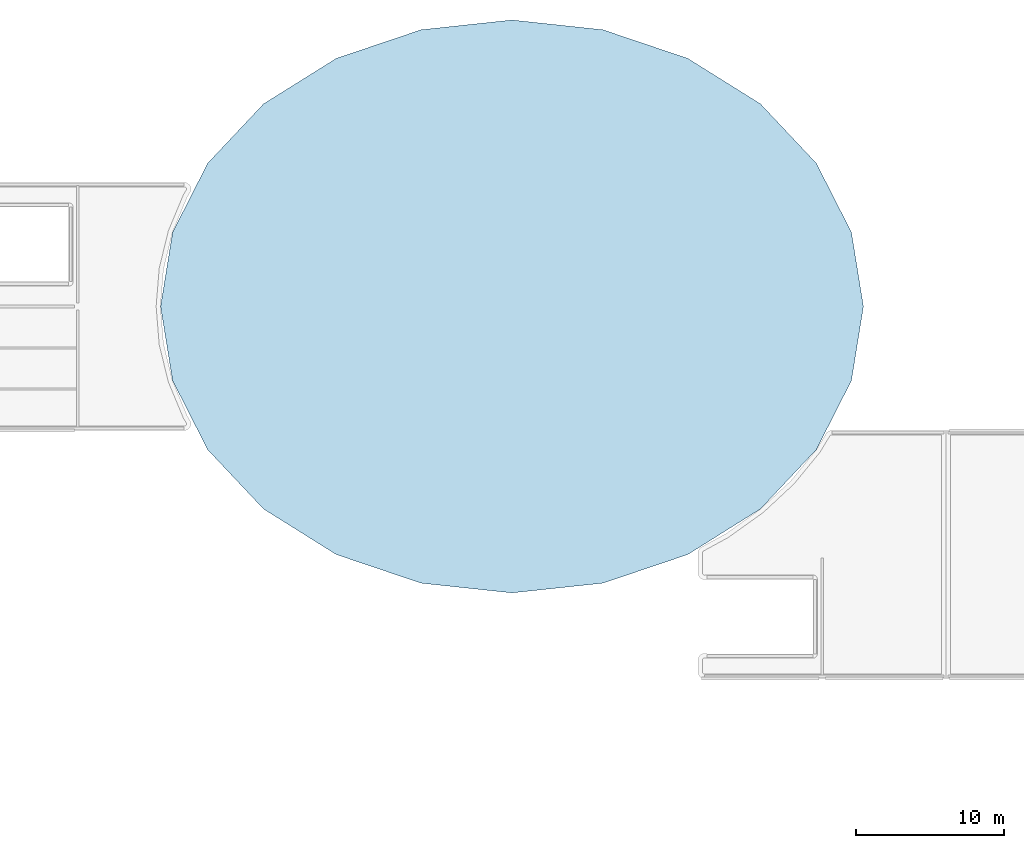
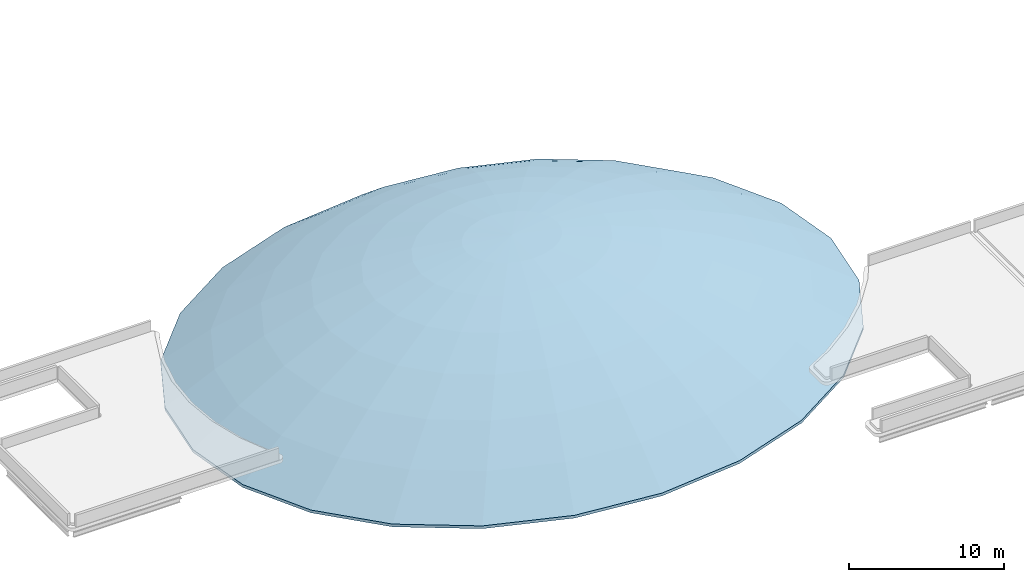
# One storey, part 4 of 5: 1 roof.
"""IFC4 building model written with IfcOpenShell, lengths in metres."""

from ifc_helpers import new_model, si_unit, derived_unit, direction, frame, origin, place, context, subcontext, project, spatial, polygons, material, layer, layer_set, type_object, element, save


model = new_model("IFC4")

# Units and contexts
model_context = context("Model", 3, precision=1e-05, world=origin(), true_north=direction((0.0, 1.0)))
body_context = subcontext(model_context, "Body", "Model", "MODEL_VIEW")
ifc_project = project(units=[si_unit("LENGTHUNIT", "METRE"), si_unit("AREAUNIT", "SQUARE_METRE"), si_unit("VOLUMEUNIT", "CUBIC_METRE"), si_unit("PLANEANGLEUNIT", "RADIAN"), si_unit("MASSUNIT", "GRAM", prefix="KILO"), derived_unit("THERMALTRANSMITTANCEUNIT", [(si_unit("POWERUNIT", "WATT"), 1), (si_unit("LENGTHUNIT", "METRE"), -2), (si_unit("THERMODYNAMICTEMPERATUREUNIT", "KELVIN"), -1)])], contexts=[model_context])

# Site, building, storey
site_placement = place(None, origin())
site = spatial("IfcSite", under=ifc_project, at=site_placement, CompositionType="ELEMENT")
building_placement = place(site_placement, origin())
building = spatial("IfcBuilding", under=site, at=building_placement, Name="Elbkamm Science Centre", CompositionType="ELEMENT")
storey_placement = place(building_placement, frame((0.0, 0.0, 25.5)))
storey = spatial("IfcBuildingStorey", under=building, at=storey_placement, Name="RF", CompositionType="ELEMENT", Elevation=25.5)

# Roof
ifc_material = material(Name="Reinforced concrete C45/55", Category="concrete")
ifc_layer = layer(ifc_material, 0.219970703125)
ifc_layer_set = layer_set([ifc_layer], Name="Reinforced concrete C45/55")
roof_type = type_object("IfcRoofType", Name="ROOF-SHELL-220", PredefinedType="FREEFORM", material=ifc_layer_set)
roof_placement = place(storey_placement, origin())
element("IfcRoof", 1, at=roof_placement, inside=storey, type_object=roof_type, Name="Main Exhibition Hall Thin Concrete Shell Roof", PredefinedType="FREEFORM", context=body_context, shape_type="Tessellation", body=[
    polygons([(63.0, 67.199951171875, 4.919921875), (63.0, 67.199951171875, 4.699951171875), (66.39990234375, 67.199951171875, 4.744384765625), (66.39990234375, 67.199951171875, 4.5244140625), (66.2841796875, 67.917236328125, 4.744384765625), (66.2841796875, 67.917236328125, 4.5244140625), (65.944580078125, 68.585693359375, 4.744384765625), (65.944580078125, 68.585693359375, 4.5244140625), (65.404296875, 69.15966796875, 4.744384765625), (65.404296875, 69.15966796875, 4.5244140625), (64.699951171875, 69.60009765625, 4.744384765625), (64.699951171875, 69.60009765625, 4.5244140625), (63.8798828125, 69.876953125, 4.744384765625), (63.8798828125, 69.876953125, 4.5244140625), (63.0, 69.971435546875, 4.744384765625), (63.0, 69.971435546875, 4.5244140625), (62.1201171875, 69.876953125, 4.744384765625), (62.1201171875, 69.876953125, 4.5244140625), (61.300048828125, 69.60009765625, 4.744384765625), (61.300048828125, 69.60009765625, 4.5244140625), (60.595703125, 69.15966796875, 4.744384765625), (60.595703125, 69.15966796875, 4.5244140625), (60.055419921875, 68.585693359375, 4.744384765625), (60.055419921875, 68.585693359375, 4.5244140625), (59.7158203125, 67.917236328125, 4.744384765625), (59.7158203125, 67.917236328125, 4.5244140625), (59.60009765625, 67.199951171875, 4.744384765625), (59.60009765625, 67.199951171875, 4.5244140625), (59.7158203125, 66.482666015625, 4.744384765625), (59.7158203125, 66.482666015625, 4.5244140625), (60.055419921875, 65.814208984375, 4.744384765625), (60.055419921875, 65.814208984375, 4.5244140625), (60.595703125, 65.240234375, 4.744384765625), (60.595703125, 65.240234375, 4.5244140625), (61.300048828125, 64.7998046875, 4.744384765625), (61.300048828125, 64.7998046875, 4.5244140625), (62.1201171875, 64.52294921875, 4.744384765625), (62.1201171875, 64.52294921875, 4.5244140625), (63.0, 64.4287109375, 4.744384765625), (63.0, 64.4287109375, 4.5244140625), (63.8798828125, 64.52294921875, 4.744384765625), (63.8798828125, 64.52294921875, 4.5244140625), (64.699951171875, 64.7998046875, 4.744384765625), (64.699951171875, 64.7998046875, 4.5244140625), (65.404296875, 65.240234375, 4.744384765625), (65.404296875, 65.240234375, 4.5244140625), (65.944580078125, 65.814208984375, 4.744384765625), (65.944580078125, 65.814208984375, 4.5244140625), (66.2841796875, 66.482666015625, 4.744384765625), (66.2841796875, 66.482666015625, 4.5244140625), (69.800048828125, 67.199951171875, 4.218017578125), (69.800048828125, 67.199951171875, 3.998046875), (69.568359375, 68.634521484375, 4.218017578125), (69.568359375, 68.634521484375, 3.998046875), (68.888916015625, 69.971435546875, 4.218017578125), (68.888916015625, 69.971435546875, 3.998046875), (67.808349609375, 71.119384765625, 4.218017578125), (67.808349609375, 71.119384765625, 3.998046875), (66.39990234375, 72.000244140625, 4.218017578125), (66.39990234375, 72.000244140625, 3.998046875), (64.760009765625, 72.553955078125, 4.218017578125), (64.760009765625, 72.553955078125, 3.998046875), (63.0, 72.742919921875, 4.218017578125), (63.0, 72.742919921875, 3.998046875), (61.239990234375, 72.553955078125, 4.218017578125), (61.239990234375, 72.553955078125, 3.998046875), (59.60009765625, 72.000244140625, 4.218017578125), (59.60009765625, 72.000244140625, 3.998046875), (58.191650390625, 71.119384765625, 4.218017578125), (58.191650390625, 71.119384765625, 3.998046875), (57.111083984375, 69.971435546875, 4.218017578125), (57.111083984375, 69.971435546875, 3.998046875), (56.431640625, 68.634521484375, 4.218017578125), (56.431640625, 68.634521484375, 3.998046875), (56.199951171875, 67.199951171875, 4.218017578125), (56.199951171875, 67.199951171875, 3.998046875), (56.431640625, 65.765380859375, 4.218017578125), (56.431640625, 65.765380859375, 3.998046875), (57.111083984375, 64.4287109375, 4.218017578125), (57.111083984375, 64.4287109375, 3.998046875), (58.191650390625, 63.280517578125, 4.218017578125), (58.191650390625, 63.280517578125, 3.998046875), (59.60009765625, 62.399658203125, 4.218017578125), (59.60009765625, 62.399658203125, 3.998046875), (61.239990234375, 61.845947265625, 4.218017578125), (61.239990234375, 61.845947265625, 3.998046875), (63.0, 61.656982421875, 4.218017578125), (63.0, 61.656982421875, 3.998046875), (64.760009765625, 61.845947265625, 4.218017578125), (64.760009765625, 61.845947265625, 3.998046875), (66.39990234375, 62.399658203125, 4.218017578125), (66.39990234375, 62.399658203125, 3.998046875), (67.808349609375, 63.280517578125, 4.218017578125), (67.808349609375, 63.280517578125, 3.998046875), (68.888916015625, 64.4287109375, 4.218017578125), (68.888916015625, 64.4287109375, 3.998046875), (69.568359375, 65.765380859375, 4.218017578125), (69.568359375, 65.765380859375, 3.998046875), (73.199951171875, 67.199951171875, 3.34033203125), (73.199951171875, 67.199951171875, 3.120361328125), (72.852294921875, 69.351806640625, 3.34033203125), (72.852294921875, 69.351806640625, 3.120361328125), (71.83349609375, 71.357177734375, 3.34033203125), (71.83349609375, 71.357177734375, 3.120361328125), (70.21240234375, 73.0791015625, 3.34033203125), (70.21240234375, 73.0791015625, 3.120361328125), (68.10009765625, 74.400390625, 3.34033203125), (68.10009765625, 74.400390625, 3.120361328125), (65.639892578125, 75.23095703125, 3.34033203125), (65.639892578125, 75.23095703125, 3.120361328125), (63.0, 75.514404296875, 3.34033203125), (63.0, 75.514404296875, 3.120361328125), (60.360107421875, 75.23095703125, 3.34033203125), (60.360107421875, 75.23095703125, 3.120361328125), (57.89990234375, 74.400390625, 3.34033203125), (57.89990234375, 74.400390625, 3.120361328125), (55.78759765625, 73.0791015625, 3.34033203125), (55.78759765625, 73.0791015625, 3.120361328125), (54.16650390625, 71.357177734375, 3.34033203125), (54.16650390625, 71.357177734375, 3.120361328125), (53.147705078125, 69.351806640625, 3.34033203125), (53.147705078125, 69.351806640625, 3.120361328125), (52.800048828125, 67.199951171875, 3.34033203125), (52.800048828125, 67.199951171875, 3.120361328125), (53.147705078125, 65.048095703125, 3.34033203125), (53.147705078125, 65.048095703125, 3.120361328125), (54.16650390625, 63.04296875, 3.34033203125), (54.16650390625, 63.04296875, 3.120361328125), (55.78759765625, 61.32080078125, 3.34033203125), (55.78759765625, 61.32080078125, 3.120361328125), (57.89990234375, 59.99951171875, 3.34033203125), (57.89990234375, 59.99951171875, 3.120361328125), (60.360107421875, 59.1689453125, 3.34033203125), (60.360107421875, 59.1689453125, 3.120361328125), (63.0, 58.8857421875, 3.34033203125), (63.0, 58.8857421875, 3.120361328125), (65.639892578125, 59.1689453125, 3.34033203125), (65.639892578125, 59.1689453125, 3.120361328125), (68.10009765625, 59.99951171875, 3.34033203125), (68.10009765625, 59.99951171875, 3.120361328125), (70.21240234375, 61.32080078125, 3.34033203125), (70.21240234375, 61.32080078125, 3.120361328125), (71.83349609375, 63.04296875, 3.34033203125), (71.83349609375, 63.04296875, 3.120361328125), (72.852294921875, 65.048095703125, 3.34033203125), (72.852294921875, 65.048095703125, 3.120361328125), (76.60009765625, 67.199951171875, 2.11181640625), (76.60009765625, 67.199951171875, 1.891845703125), (76.13671875, 70.069091796875, 2.11181640625), (76.13671875, 70.069091796875, 1.891845703125), (74.77783203125, 72.742919921875, 2.11181640625), (74.77783203125, 72.742919921875, 1.891845703125), (72.61669921875, 75.038818359375, 2.11181640625), (72.61669921875, 75.038818359375, 1.891845703125), (69.800048828125, 76.800537109375, 2.11181640625), (69.800048828125, 76.800537109375, 1.891845703125), (66.52001953125, 77.907958984375, 2.11181640625), (66.52001953125, 77.907958984375, 1.891845703125), (63.0, 78.28564453125, 2.11181640625), (63.0, 78.28564453125, 1.891845703125), (59.47998046875, 77.907958984375, 2.11181640625), (59.47998046875, 77.907958984375, 1.891845703125), (56.199951171875, 76.800537109375, 2.11181640625), (56.199951171875, 76.800537109375, 1.891845703125), (53.38330078125, 75.038818359375, 2.11181640625), (53.38330078125, 75.038818359375, 1.891845703125), (51.22216796875, 72.742919921875, 2.11181640625), (51.22216796875, 72.742919921875, 1.891845703125), (49.86328125, 70.069091796875, 2.11181640625), (49.86328125, 70.069091796875, 1.891845703125), (49.39990234375, 67.199951171875, 2.11181640625), (49.39990234375, 67.199951171875, 1.891845703125), (49.86328125, 64.330810546875, 2.11181640625), (49.86328125, 64.330810546875, 1.891845703125), (51.22216796875, 61.656982421875, 2.11181640625), (51.22216796875, 61.656982421875, 1.891845703125), (53.38330078125, 59.361083984375, 2.11181640625), (53.38330078125, 59.361083984375, 1.891845703125), (56.199951171875, 57.599609375, 2.11181640625), (56.199951171875, 57.599609375, 1.891845703125), (59.47998046875, 56.491943359375, 2.11181640625), (59.47998046875, 56.491943359375, 1.891845703125), (63.0, 56.1142578125, 2.11181640625), (63.0, 56.1142578125, 1.891845703125), (66.52001953125, 56.491943359375, 2.11181640625), (66.52001953125, 56.491943359375, 1.891845703125), (69.800048828125, 57.599609375, 2.11181640625), (69.800048828125, 57.599609375, 1.891845703125), (72.61669921875, 59.361083984375, 2.11181640625), (72.61669921875, 59.361083984375, 1.891845703125), (74.77783203125, 61.656982421875, 2.11181640625), (74.77783203125, 61.656982421875, 1.891845703125), (76.13671875, 64.330810546875, 2.11181640625), (76.13671875, 64.330810546875, 1.891845703125), (80.0, 67.199951171875, 0.5322265625), (80.0, 67.199951171875, 0.312255859375), (79.420654296875, 70.78662109375, 0.5322265625), (79.420654296875, 70.78662109375, 0.312255859375), (77.722412109375, 74.128662109375, 0.5322265625), (77.722412109375, 74.128662109375, 0.312255859375), (75.020751953125, 76.99853515625, 0.5322265625), (75.020751953125, 76.99853515625, 0.312255859375), (71.5, 79.20068359375, 0.5322265625), (71.5, 79.20068359375, 0.312255859375), (67.39990234375, 80.5849609375, 0.5322265625), (67.39990234375, 80.5849609375, 0.312255859375), (63.0, 81.05712890625, 0.5322265625), (63.0, 81.05712890625, 0.312255859375), (58.60009765625, 80.5849609375, 0.5322265625), (58.60009765625, 80.5849609375, 0.312255859375), (54.5, 79.20068359375, 0.5322265625), (54.5, 79.20068359375, 0.312255859375), (50.979248046875, 76.99853515625, 0.5322265625), (50.979248046875, 76.99853515625, 0.312255859375), (48.277587890625, 74.128662109375, 0.5322265625), (48.277587890625, 74.128662109375, 0.312255859375), (46.579345703125, 70.78662109375, 0.5322265625), (46.579345703125, 70.78662109375, 0.312255859375), (46.0, 67.199951171875, 0.5322265625), (46.0, 67.199951171875, 0.312255859375), (46.579345703125, 63.613525390625, 0.5322265625), (46.579345703125, 63.613525390625, 0.312255859375), (48.277587890625, 60.271484375, 0.5322265625), (48.277587890625, 60.271484375, 0.312255859375), (50.979248046875, 57.401611328125, 0.5322265625), (50.979248046875, 57.401611328125, 0.312255859375), (54.5, 55.199462890625, 0.5322265625), (54.5, 55.199462890625, 0.312255859375), (58.60009765625, 53.81494140625, 0.5322265625), (58.60009765625, 53.81494140625, 0.312255859375), (63.0, 53.343017578125, 0.5322265625), (63.0, 53.343017578125, 0.312255859375), (67.39990234375, 53.81494140625, 0.5322265625), (67.39990234375, 53.81494140625, 0.312255859375), (71.5, 55.199462890625, 0.5322265625), (71.5, 55.199462890625, 0.312255859375), (75.020751953125, 57.401611328125, 0.5322265625), (75.020751953125, 57.401611328125, 0.312255859375), (77.722412109375, 60.271484375, 0.5322265625), (77.722412109375, 60.271484375, 0.312255859375), (79.420654296875, 63.613525390625, 0.5322265625), (79.420654296875, 63.613525390625, 0.312255859375), (83.39990234375, 67.199951171875, -1.3984375), (83.39990234375, 67.199951171875, -1.618408203125), (82.704833984375, 71.50390625, -1.3984375), (82.704833984375, 71.50390625, -1.618408203125), (80.6669921875, 75.514404296875, -1.3984375), (80.6669921875, 75.514404296875, -1.618408203125), (77.425048828125, 78.958251953125, -1.3984375), (77.425048828125, 78.958251953125, -1.618408203125), (73.199951171875, 81.600830078125, -1.3984375), (73.199951171875, 81.600830078125, -1.618408203125), (68.27978515625, 83.261962890625, -1.3984375), (68.27978515625, 83.261962890625, -1.618408203125), (63.0, 83.82861328125, -1.3984375), (63.0, 83.82861328125, -1.618408203125), (57.72021484375, 83.261962890625, -1.3984375), (57.72021484375, 83.261962890625, -1.618408203125), (52.800048828125, 81.600830078125, -1.3984375), (52.800048828125, 81.600830078125, -1.618408203125), (48.574951171875, 78.958251953125, -1.3984375), (48.574951171875, 78.958251953125, -1.618408203125), (45.3330078125, 75.514404296875, -1.3984375), (45.3330078125, 75.514404296875, -1.618408203125), (43.295166015625, 71.50390625, -1.3984375), (43.295166015625, 71.50390625, -1.618408203125), (42.60009765625, 67.199951171875, -1.3984375), (42.60009765625, 67.199951171875, -1.618408203125), (43.295166015625, 62.896240234375, -1.3984375), (43.295166015625, 62.896240234375, -1.618408203125), (45.3330078125, 58.8857421875, -1.3984375), (45.3330078125, 58.8857421875, -1.618408203125), (48.574951171875, 55.44189453125, -1.3984375), (48.574951171875, 55.44189453125, -1.618408203125), (52.800048828125, 52.79931640625, -1.3984375), (52.800048828125, 52.79931640625, -1.618408203125), (57.72021484375, 51.137939453125, -1.3984375), (57.72021484375, 51.137939453125, -1.618408203125), (63.0, 50.5712890625, -1.3984375), (63.0, 50.5712890625, -1.618408203125), (68.27978515625, 51.137939453125, -1.3984375), (68.27978515625, 51.137939453125, -1.618408203125), (73.199951171875, 52.79931640625, -1.3984375), (73.199951171875, 52.79931640625, -1.618408203125), (77.425048828125, 55.44189453125, -1.3984375), (77.425048828125, 55.44189453125, -1.618408203125), (80.6669921875, 58.8857421875, -1.3984375), (80.6669921875, 58.8857421875, -1.618408203125), (82.704833984375, 62.896240234375, -1.3984375), (82.704833984375, 62.896240234375, -1.618408203125), (86.800048828125, 67.199951171875, -3.679931640625), (86.800048828125, 67.199951171875, -3.89990234375), (85.989013671875, 72.22119140625, -3.679931640625), (85.989013671875, 72.22119140625, -3.89990234375), (83.611328125, 76.89990234375, -3.679931640625), (83.611328125, 76.89990234375, -3.89990234375), (79.8291015625, 80.91796875, -3.679931640625), (79.8291015625, 80.91796875, -3.89990234375), (74.89990234375, 84.0009765625, -3.679931640625), (74.89990234375, 84.0009765625, -3.89990234375), (69.159912109375, 85.93896484375, -3.679931640625), (69.159912109375, 85.93896484375, -3.89990234375), (63.0, 86.60009765625, -3.679931640625), (63.0, 86.60009765625, -3.89990234375), (56.840087890625, 85.93896484375, -3.679931640625), (56.840087890625, 85.93896484375, -3.89990234375), (51.10009765625, 84.0009765625, -3.679931640625), (51.10009765625, 84.0009765625, -3.89990234375), (46.1708984375, 80.91796875, -3.679931640625), (46.1708984375, 80.91796875, -3.89990234375), (42.388671875, 76.89990234375, -3.679931640625), (42.388671875, 76.89990234375, -3.89990234375), (40.010986328125, 72.22119140625, -3.679931640625), (40.010986328125, 72.22119140625, -3.89990234375), (39.199951171875, 67.199951171875, -3.679931640625), (39.199951171875, 67.199951171875, -3.89990234375), (40.010986328125, 62.178955078125, -3.679931640625), (40.010986328125, 62.178955078125, -3.89990234375), (42.388671875, 57.5, -3.679931640625), (42.388671875, 57.5, -3.89990234375), (46.1708984375, 53.482177734375, -3.679931640625), (46.1708984375, 53.482177734375, -3.89990234375), (51.10009765625, 50.399169921875, -3.679931640625), (51.10009765625, 50.399169921875, -3.89990234375), (56.840087890625, 48.4609375, -3.679931640625), (56.840087890625, 48.4609375, -3.89990234375), (63.0, 47.800048828125, -3.679931640625), (63.0, 47.800048828125, -3.89990234375), (69.159912109375, 48.4609375, -3.679931640625), (69.159912109375, 48.4609375, -3.89990234375), (74.89990234375, 50.399169921875, -3.679931640625), (74.89990234375, 50.399169921875, -3.89990234375), (79.8291015625, 53.482177734375, -3.679931640625), (79.8291015625, 53.482177734375, -3.89990234375), (83.611328125, 57.5, -3.679931640625), (83.611328125, 57.5, -3.89990234375), (85.989013671875, 62.178955078125, -3.679931640625), (85.989013671875, 62.178955078125, -3.89990234375)], [[[1, 3, 5]], [[2, 6, 4]], [[1, 5, 7]], [[2, 8, 6]], [[1, 7, 9]], [[2, 10, 8]], [[1, 9, 11]], [[2, 12, 10]], [[1, 11, 13]], [[2, 14, 12]], [[1, 13, 15]], [[2, 16, 14]], [[1, 15, 17]], [[2, 18, 16]], [[1, 17, 19]], [[2, 20, 18]], [[1, 19, 21]], [[2, 22, 20]], [[1, 21, 23]], [[2, 24, 22]], [[1, 23, 25]], [[2, 26, 24]], [[1, 25, 27]], [[2, 28, 26]], [[1, 27, 29]], [[2, 30, 28]], [[1, 29, 31]], [[2, 32, 30]], [[1, 31, 33]], [[2, 34, 32]], [[1, 33, 35]], [[2, 36, 34]], [[1, 35, 37]], [[2, 38, 36]], [[1, 37, 39]], [[2, 40, 38]], [[1, 39, 41]], [[2, 42, 40]], [[1, 41, 43]], [[2, 44, 42]], [[1, 43, 45]], [[2, 46, 44]], [[1, 45, 47]], [[2, 48, 46]], [[1, 47, 49]], [[2, 50, 48]], [[1, 49, 3]], [[2, 4, 50]], [[3, 51, 53]], [[3, 53, 5]], [[4, 54, 52]], [[4, 6, 54]], [[5, 53, 55]], [[5, 55, 7]], [[6, 56, 54]], [[6, 8, 56]], [[7, 55, 57]], [[7, 57, 9]], [[8, 58, 56]], [[8, 10, 58]], [[9, 57, 59]], [[9, 59, 11]], [[10, 60, 58]], [[10, 12, 60]], [[11, 59, 61]], [[11, 61, 13]], [[12, 62, 60]], [[12, 14, 62]], [[13, 61, 63]], [[13, 63, 15]], [[14, 64, 62]], [[14, 16, 64]], [[15, 63, 65]], [[15, 65, 17]], [[16, 66, 64]], [[16, 18, 66]], [[17, 65, 67]], [[17, 67, 19]], [[18, 68, 66]], [[18, 20, 68]], [[19, 67, 69]], [[19, 69, 21]], [[20, 70, 68]], [[20, 22, 70]], [[21, 69, 71]], [[21, 71, 23]], [[22, 72, 70]], [[22, 24, 72]], [[23, 71, 73]], [[23, 73, 25]], [[24, 74, 72]], [[24, 26, 74]], [[25, 73, 75]], [[25, 75, 27]], [[26, 76, 74]], [[26, 28, 76]], [[27, 75, 77]], [[27, 77, 29]], [[28, 78, 76]], [[28, 30, 78]], [[29, 77, 79]], [[29, 79, 31]], [[30, 80, 78]], [[30, 32, 80]], [[31, 79, 81]], [[31, 81, 33]], [[32, 82, 80]], [[32, 34, 82]], [[33, 81, 83]], [[33, 83, 35]], [[34, 84, 82]], [[34, 36, 84]], [[35, 83, 85]], [[35, 85, 37]], [[36, 86, 84]], [[36, 38, 86]], [[37, 85, 87]], [[37, 87, 39]], [[38, 88, 86]], [[38, 40, 88]], [[39, 87, 89]], [[39, 89, 41]], [[40, 90, 88]], [[40, 42, 90]], [[41, 89, 91]], [[41, 91, 43]], [[42, 92, 90]], [[42, 44, 92]], [[43, 91, 93]], [[43, 93, 45]], [[44, 94, 92]], [[44, 46, 94]], [[45, 93, 95]], [[45, 95, 47]], [[46, 96, 94]], [[46, 48, 96]], [[47, 95, 97]], [[47, 97, 49]], [[48, 98, 96]], [[48, 50, 98]], [[49, 97, 51]], [[49, 51, 3]], [[50, 52, 98]], [[50, 4, 52]], [[51, 99, 101]], [[51, 101, 53]], [[52, 102, 100]], [[52, 54, 102]], [[53, 101, 103]], [[53, 103, 55]], [[54, 104, 102]], [[54, 56, 104]], [[55, 103, 105]], [[55, 105, 57]], [[56, 106, 104]], [[56, 58, 106]], [[57, 105, 107]], [[57, 107, 59]], [[58, 108, 106]], [[58, 60, 108]], [[59, 107, 109]], [[59, 109, 61]], [[60, 110, 108]], [[60, 62, 110]], [[61, 109, 111]], [[61, 111, 63]], [[62, 112, 110]], [[62, 64, 112]], [[63, 111, 113]], [[63, 113, 65]], [[64, 114, 112]], [[64, 66, 114]], [[65, 113, 115]], [[65, 115, 67]], [[66, 116, 114]], [[66, 68, 116]], [[67, 115, 117]], [[67, 117, 69]], [[68, 118, 116]], [[68, 70, 118]], [[69, 117, 119]], [[69, 119, 71]], [[70, 120, 118]], [[70, 72, 120]], [[71, 119, 121]], [[71, 121, 73]], [[72, 122, 120]], [[72, 74, 122]], [[73, 121, 123]], [[73, 123, 75]], [[74, 124, 122]], [[74, 76, 124]], [[75, 123, 125]], [[75, 125, 77]], [[76, 126, 124]], [[76, 78, 126]], [[77, 125, 127]], [[77, 127, 79]], [[78, 128, 126]], [[78, 80, 128]], [[79, 127, 129]], [[79, 129, 81]], [[80, 130, 128]], [[80, 82, 130]], [[81, 129, 131]], [[81, 131, 83]], [[82, 132, 130]], [[82, 84, 132]], [[83, 131, 133]], [[83, 133, 85]], [[84, 134, 132]], [[84, 86, 134]], [[85, 133, 135]], [[85, 135, 87]], [[86, 136, 134]], [[86, 88, 136]], [[87, 135, 137]], [[87, 137, 89]], [[88, 138, 136]], [[88, 90, 138]], [[89, 137, 139]], [[89, 139, 91]], [[90, 140, 138]], [[90, 92, 140]], [[91, 139, 141]], [[91, 141, 93]], [[92, 142, 140]], [[92, 94, 142]], [[93, 141, 143]], [[93, 143, 95]], [[94, 144, 142]], [[94, 96, 144]], [[95, 143, 145]], [[95, 145, 97]], [[96, 146, 144]], [[96, 98, 146]], [[97, 145, 99]], [[97, 99, 51]], [[98, 100, 146]], [[98, 52, 100]], [[99, 147, 149]], [[99, 149, 101]], [[100, 150, 148]], [[100, 102, 150]], [[101, 149, 151]], [[101, 151, 103]], [[102, 152, 150]], [[102, 104, 152]], [[103, 151, 153]], [[103, 153, 105]], [[104, 154, 152]], [[104, 106, 154]], [[105, 153, 155]], [[105, 155, 107]], [[106, 156, 154]], [[106, 108, 156]], [[107, 155, 157]], [[107, 157, 109]], [[108, 158, 156]], [[108, 110, 158]], [[109, 157, 159]], [[109, 159, 111]], [[110, 160, 158]], [[110, 112, 160]], [[111, 159, 161]], [[111, 161, 113]], [[112, 162, 160]], [[112, 114, 162]], [[113, 161, 163]], [[113, 163, 115]], [[114, 164, 162]], [[114, 116, 164]], [[115, 163, 165]], [[115, 165, 117]], [[116, 166, 164]], [[116, 118, 166]], [[117, 165, 167]], [[117, 167, 119]], [[118, 168, 166]], [[118, 120, 168]], [[119, 167, 169]], [[119, 169, 121]], [[120, 170, 168]], [[120, 122, 170]], [[121, 169, 171]], [[121, 171, 123]], [[122, 172, 170]], [[122, 124, 172]], [[123, 171, 173]], [[123, 173, 125]], [[124, 174, 172]], [[124, 126, 174]], [[125, 173, 175]], [[125, 175, 127]], [[126, 176, 174]], [[126, 128, 176]], [[127, 175, 177]], [[127, 177, 129]], [[128, 178, 176]], [[128, 130, 178]], [[129, 177, 179]], [[129, 179, 131]], [[130, 180, 178]], [[130, 132, 180]], [[131, 179, 181]], [[131, 181, 133]], [[132, 182, 180]], [[132, 134, 182]], [[133, 181, 183]], [[133, 183, 135]], [[134, 184, 182]], [[134, 136, 184]], [[135, 183, 185]], [[135, 185, 137]], [[136, 186, 184]], [[136, 138, 186]], [[137, 185, 187]], [[137, 187, 139]], [[138, 188, 186]], [[138, 140, 188]], [[139, 187, 189]], [[139, 189, 141]], [[140, 190, 188]], [[140, 142, 190]], [[141, 189, 191]], [[141, 191, 143]], [[142, 192, 190]], [[142, 144, 192]], [[143, 191, 193]], [[143, 193, 145]], [[144, 194, 192]], [[144, 146, 194]], [[145, 193, 147]], [[145, 147, 99]], [[146, 148, 194]], [[146, 100, 148]], [[147, 195, 197]], [[147, 197, 149]], [[148, 198, 196]], [[148, 150, 198]], [[149, 197, 199]], [[149, 199, 151]], [[150, 200, 198]], [[150, 152, 200]], [[151, 199, 201]], [[151, 201, 153]], [[152, 202, 200]], [[152, 154, 202]], [[153, 201, 203]], [[153, 203, 155]], [[154, 204, 202]], [[154, 156, 204]], [[155, 203, 205]], [[155, 205, 157]], [[156, 206, 204]], [[156, 158, 206]], [[157, 205, 207]], [[157, 207, 159]], [[158, 208, 206]], [[158, 160, 208]], [[159, 207, 209]], [[159, 209, 161]], [[160, 210, 208]], [[160, 162, 210]], [[161, 209, 211]], [[161, 211, 163]], [[162, 212, 210]], [[162, 164, 212]], [[163, 211, 213]], [[163, 213, 165]], [[164, 214, 212]], [[164, 166, 214]], [[165, 213, 215]], [[165, 215, 167]], [[166, 216, 214]], [[166, 168, 216]], [[167, 215, 217]], [[167, 217, 169]], [[168, 218, 216]], [[168, 170, 218]], [[169, 217, 219]], [[169, 219, 171]], [[170, 220, 218]], [[170, 172, 220]], [[171, 219, 221]], [[171, 221, 173]], [[172, 222, 220]], [[172, 174, 222]], [[173, 221, 223]], [[173, 223, 175]], [[174, 224, 222]], [[174, 176, 224]], [[175, 223, 225]], [[175, 225, 177]], [[176, 226, 224]], [[176, 178, 226]], [[177, 225, 227]], [[177, 227, 179]], [[178, 228, 226]], [[178, 180, 228]], [[179, 227, 229]], [[179, 229, 181]], [[180, 230, 228]], [[180, 182, 230]], [[181, 229, 231]], [[181, 231, 183]], [[182, 232, 230]], [[182, 184, 232]], [[183, 231, 233]], [[183, 233, 185]], [[184, 234, 232]], [[184, 186, 234]], [[185, 233, 235]], [[185, 235, 187]], [[186, 236, 234]], [[186, 188, 236]], [[187, 235, 237]], [[187, 237, 189]], [[188, 238, 236]], [[188, 190, 238]], [[189, 237, 239]], [[189, 239, 191]], [[190, 240, 238]], [[190, 192, 240]], [[191, 239, 241]], [[191, 241, 193]], [[192, 242, 240]], [[192, 194, 242]], [[193, 241, 195]], [[193, 195, 147]], [[194, 196, 242]], [[194, 148, 196]], [[195, 243, 245]], [[195, 245, 197]], [[196, 246, 244]], [[196, 198, 246]], [[197, 245, 247]], [[197, 247, 199]], [[198, 248, 246]], [[198, 200, 248]], [[199, 247, 249]], [[199, 249, 201]], [[200, 250, 248]], [[200, 202, 250]], [[201, 249, 251]], [[201, 251, 203]], [[202, 252, 250]], [[202, 204, 252]], [[203, 251, 253]], [[203, 253, 205]], [[204, 254, 252]], [[204, 206, 254]], [[205, 253, 255]], [[205, 255, 207]], [[206, 256, 254]], [[206, 208, 256]], [[207, 255, 257]], [[207, 257, 209]], [[208, 258, 256]], [[208, 210, 258]], [[209, 257, 259]], [[209, 259, 211]], [[210, 260, 258]], [[210, 212, 260]], [[211, 259, 261]], [[211, 261, 213]], [[212, 262, 260]], [[212, 214, 262]], [[213, 261, 263]], [[213, 263, 215]], [[214, 264, 262]], [[214, 216, 264]], [[215, 263, 265]], [[215, 265, 217]], [[216, 266, 264]], [[216, 218, 266]], [[217, 265, 267]], [[217, 267, 219]], [[218, 268, 266]], [[218, 220, 268]], [[219, 267, 269]], [[219, 269, 221]], [[220, 270, 268]], [[220, 222, 270]], [[221, 269, 271]], [[221, 271, 223]], [[222, 272, 270]], [[222, 224, 272]], [[223, 271, 273]], [[223, 273, 225]], [[224, 274, 272]], [[224, 226, 274]], [[225, 273, 275]], [[225, 275, 227]], [[226, 276, 274]], [[226, 228, 276]], [[227, 275, 277]], [[227, 277, 229]], [[228, 278, 276]], [[228, 230, 278]], [[229, 277, 279]], [[229, 279, 231]], [[230, 280, 278]], [[230, 232, 280]], [[231, 279, 281]], [[231, 281, 233]], [[232, 282, 280]], [[232, 234, 282]], [[233, 281, 283]], [[233, 283, 235]], [[234, 284, 282]], [[234, 236, 284]], [[235, 283, 285]], [[235, 285, 237]], [[236, 286, 284]], [[236, 238, 286]], [[237, 285, 287]], [[237, 287, 239]], [[238, 288, 286]], [[238, 240, 288]], [[239, 287, 289]], [[239, 289, 241]], [[240, 290, 288]], [[240, 242, 290]], [[241, 289, 243]], [[241, 243, 195]], [[242, 244, 290]], [[242, 196, 244]], [[243, 291, 293]], [[243, 293, 245]], [[244, 294, 292]], [[244, 246, 294]], [[245, 293, 295]], [[245, 295, 247]], [[246, 296, 294]], [[246, 248, 296]], [[247, 295, 297]], [[247, 297, 249]], [[248, 298, 296]], [[248, 250, 298]], [[249, 297, 299]], [[249, 299, 251]], [[250, 300, 298]], [[250, 252, 300]], [[251, 299, 301]], [[251, 301, 253]], [[252, 302, 300]], [[252, 254, 302]], [[253, 301, 303]], [[253, 303, 255]], [[254, 304, 302]], [[254, 256, 304]], [[255, 303, 305]], [[255, 305, 257]], [[256, 306, 304]], [[256, 258, 306]], [[257, 305, 307]], [[257, 307, 259]], [[258, 308, 306]], [[258, 260, 308]], [[259, 307, 309]], [[259, 309, 261]], [[260, 310, 308]], [[260, 262, 310]], [[261, 309, 311]], [[261, 311, 263]], [[262, 312, 310]], [[262, 264, 312]], [[263, 311, 313]], [[263, 313, 265]], [[264, 314, 312]], [[264, 266, 314]], [[265, 313, 315]], [[265, 315, 267]], [[266, 316, 314]], [[266, 268, 316]], [[267, 315, 317]], [[267, 317, 269]], [[268, 318, 316]], [[268, 270, 318]], [[269, 317, 319]], [[269, 319, 271]], [[270, 320, 318]], [[270, 272, 320]], [[271, 319, 321]], [[271, 321, 273]], [[272, 322, 320]], [[272, 274, 322]], [[273, 321, 323]], [[273, 323, 275]], [[274, 324, 322]], [[274, 276, 324]], [[275, 323, 325]], [[275, 325, 277]], [[276, 326, 324]], [[276, 278, 326]], [[277, 325, 327]], [[277, 327, 279]], [[278, 328, 326]], [[278, 280, 328]], [[279, 327, 329]], [[279, 329, 281]], [[280, 330, 328]], [[280, 282, 330]], [[281, 329, 331]], [[281, 331, 283]], [[282, 332, 330]], [[282, 284, 332]], [[283, 331, 333]], [[283, 333, 285]], [[284, 334, 332]], [[284, 286, 334]], [[285, 333, 335]], [[285, 335, 287]], [[286, 336, 334]], [[286, 288, 336]], [[287, 335, 337]], [[287, 337, 289]], [[288, 338, 336]], [[288, 290, 338]], [[289, 337, 291]], [[289, 291, 243]], [[290, 292, 338]], [[290, 244, 292]], [[292, 294, 293]], [[292, 293, 291]], [[294, 296, 295]], [[294, 295, 293]], [[296, 298, 297]], [[296, 297, 295]], [[298, 300, 299]], [[298, 299, 297]], [[300, 302, 301]], [[300, 301, 299]], [[302, 304, 303]], [[302, 303, 301]], [[304, 306, 305]], [[304, 305, 303]], [[306, 308, 307]], [[306, 307, 305]], [[308, 310, 309]], [[308, 309, 307]], [[310, 312, 311]], [[310, 311, 309]], [[312, 314, 313]], [[312, 313, 311]], [[314, 316, 315]], [[314, 315, 313]], [[316, 318, 317]], [[316, 317, 315]], [[318, 320, 319]], [[318, 319, 317]], [[320, 322, 321]], [[320, 321, 319]], [[322, 324, 323]], [[322, 323, 321]], [[324, 326, 325]], [[324, 325, 323]], [[326, 328, 327]], [[326, 327, 325]], [[328, 330, 329]], [[328, 329, 327]], [[330, 332, 331]], [[330, 331, 329]], [[332, 334, 333]], [[332, 333, 331]], [[334, 336, 335]], [[334, 335, 333]], [[336, 338, 337]], [[336, 337, 335]], [[338, 292, 291]], [[338, 291, 337]]], closed=True),
])

save(model, "model.ifc")
